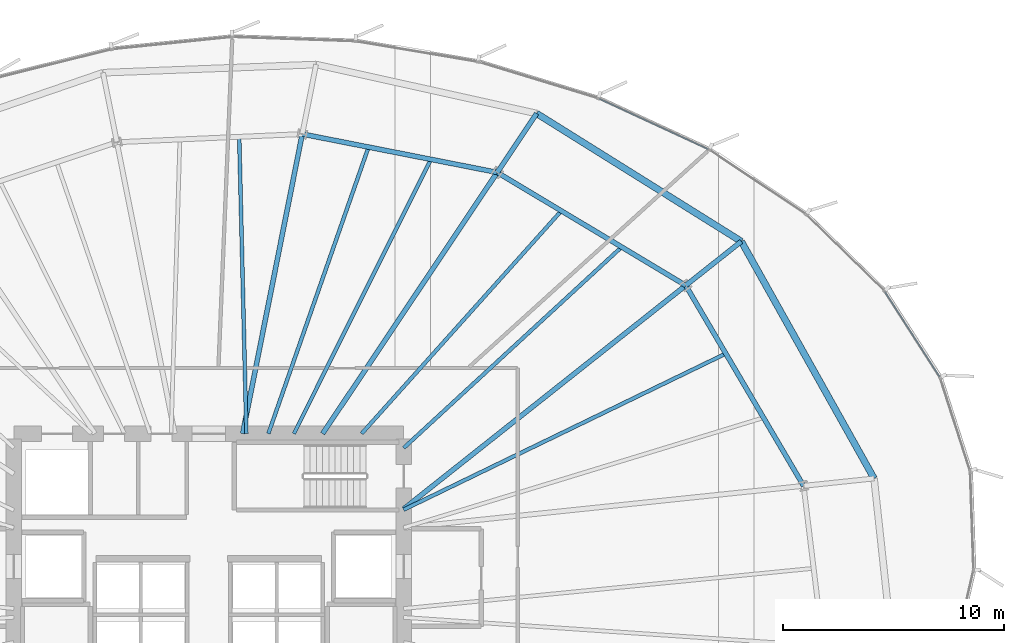
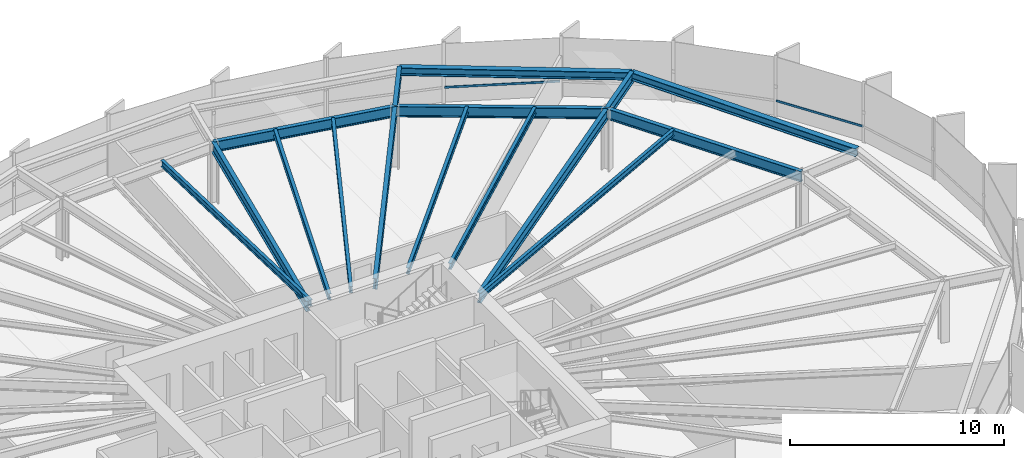
# One storey, part 23 of 35: 16 beams, 2 members, 1 element without a shape of its own.
"""IFC4 building model written with IfcOpenShell, lengths in metres."""

from ifc_helpers import new_model, si_unit, direction, frame, origin, origin_2d, place, context, subcontext, project, spatial, hollow_rectangle, i_section, extrude, source, transform, mapped, material, layer, layer_set, material_profile, profile_set, type_object, element, aggregate, save


model = new_model("IFC4")

# Units and contexts
model_context = context("Model", 3, precision=1e-05, world=origin(), true_north=direction((0.0, 1.0)))
body_context = subcontext(model_context, "Body", "Model", "MODEL_VIEW")
ifc_project = project(units=[si_unit("LENGTHUNIT", "METRE"), si_unit("AREAUNIT", "SQUARE_METRE"), si_unit("VOLUMEUNIT", "CUBIC_METRE"), si_unit("PLANEANGLEUNIT", "RADIAN"), si_unit("MASSUNIT", "GRAM", prefix="KILO"), si_unit("THERMODYNAMICTEMPERATUREUNIT", "KELVIN")], contexts=[model_context])

# Site, building, storey
site_placement = place(None, origin())
site = spatial("IfcSite", under=ifc_project, at=site_placement, CompositionType="ELEMENT")
building_placement = place(site_placement, origin())
building = spatial("IfcBuilding", under=site, at=building_placement, Name="Kethvar Cultural Tower", CompositionType="ELEMENT")
storey_placement = place(building_placement, frame((0.0, 0.0, 71.39990234375)))
storey = spatial("IfcBuildingStorey", under=building, at=storey_placement, Name="L17", CompositionType="ELEMENT", Elevation=71.39990234375)

# Beams
ifc_material_1 = material(Name="Steel S355J2", Category="steel")
ifc_material_profile_1 = material_profile(ifc_material_1, i_section(OverallWidth=0.219970703125, OverallDepth=0.60009765625, WebThickness=0.011962890625, FlangeThickness=0.01904296875, FilletRadius=0.02392578125, at=origin_2d()), Name="Steel S355J2 — IPE600")
ifc_profile_set_1 = profile_set([ifc_material_profile_1], Name="Steel S355J2 — IPE600")
beam_type_1 = type_object("IfcBeamType", Name="BM-IPE600", PredefinedType="BEAM", material=ifc_profile_set_1)
shared_shape_1 = source(origin(), body_context, "Body", "SweptSolid", [
    extrude(i_section(OverallWidth=0.219970703125, OverallDepth=0.60009765625, WebThickness=0.011962890625, FlangeThickness=0.01904296875, FilletRadius=0.02392578125, at=origin_2d()), origin(), (0.0, 0.0, 1.0), 16.248779296875),
])
beam_1_placement = place(storey_placement, frame((55.60009765625, 32.10009765625, 3.238037109375), z_axis=(0.783831288624, 0.620973840813, 0.0), x_axis=(-0.620973840813, 0.783831288624, 0.0)))
element("IfcBeam", 1, at=beam_1_placement, inside=storey, type_object=beam_type_1, Name="L17 Primary Radial Beam RB-02", PredefinedType="BEAM", context=body_context, shape_type="MappedRepresentation", body=[
    mapped(shared_shape_1, transform((0.0, 0.0, 0.0), scale=1.0)),
])
shared_shape_2 = source(origin(), body_context, "Body", "SweptSolid", [
    extrude(i_section(OverallWidth=0.219970703125, OverallDepth=0.60009765625, WebThickness=0.011962890625, FlangeThickness=0.01904296875, FilletRadius=0.02392578125, at=origin_2d()), origin(), (0.0, 0.0, 1.0), 14.18359375),
])
beam_2_placement = place(storey_placement, frame((51.945068359375, 35.5, 3.238037109375), z_axis=(0.55556584065, 0.831472547174, 0.0), x_axis=(-0.831472547174, 0.55556584065, 0.0)))
element("IfcBeam", 2, at=beam_2_placement, inside=storey, type_object=beam_type_1, Name="L17 Primary Radial Beam RB-03", PredefinedType="BEAM", context=body_context, shape_type="MappedRepresentation", body=[
    mapped(shared_shape_2, transform((0.0, 0.0, 0.0), scale=1.0)),
])
shared_shape_3 = source(origin(), body_context, "Body", "SweptSolid", [
    extrude(i_section(OverallWidth=0.219970703125, OverallDepth=0.60009765625, WebThickness=0.011962890625, FlangeThickness=0.01904296875, FilletRadius=0.02392578125, at=origin_2d()), origin(), (0.0, 0.0, 1.0), 3.2001953125),
])
beam_3_placement = place(storey_placement, frame((59.824951171875, 47.293212890625, 3.238037109375), z_axis=(0.555544970406, 0.831486491686, 0.0), x_axis=(-0.831486491686, 0.555544970406, 0.0)))
element("IfcBeam", 3, at=beam_3_placement, inside=storey, type_object=beam_type_1, Name="L17 Perimeter Cantilever Beam RC-03", PredefinedType="BEAM", context=body_context, shape_type="MappedRepresentation", body=[
    mapped(shared_shape_3, transform((0.0, 0.0, 0.0), scale=1.0)),
])
shared_shape_4 = source(origin(), body_context, "Body", "SweptSolid", [
    extrude(i_section(OverallWidth=0.219970703125, OverallDepth=0.60009765625, WebThickness=0.011962890625, FlangeThickness=0.01904296875, FilletRadius=0.02392578125, at=origin_2d()), origin(), (0.0, 0.0, 1.0), 13.791015625),
])
beam_4_placement = place(storey_placement, frame((48.33154296875, 35.5, 3.238037109375), z_axis=(0.195104916429, 0.980782377281, 0.0), x_axis=(-0.980782377281, 0.195104916429, 0.0)))
element("IfcBeam", 4, at=beam_4_placement, inside=storey, type_object=beam_type_1, Name="L17 Primary Radial Beam RB-04", PredefinedType="BEAM", context=body_context, shape_type="MappedRepresentation", body=[
    mapped(shared_shape_4, transform((0.0, 0.0, 0.0), scale=1.0)),
])
shared_shape_5 = source(origin(), body_context, "Body", "SweptSolid", [
    extrude(i_section(OverallWidth=0.219970703125, OverallDepth=0.60009765625, WebThickness=0.011962890625, FlangeThickness=0.01904296875, FilletRadius=0.02392578125, at=origin_2d()), origin(), (0.0, 0.0, 1.0), 3.199951171875),
])
beam_5_placement = place(storey_placement, frame((68.33642578125, 42.190185546875, 3.238037109375), z_axis=(0.783844666756, 0.62095695374, 0.0), x_axis=(-0.62095695374, 0.783844666756, 0.0)))
element("IfcBeam", 5, at=beam_5_placement, inside=storey, type_object=beam_type_1, Name="L17 Perimeter Cantilever Beam RC-02", PredefinedType="BEAM", context=body_context, shape_type="MappedRepresentation", body=[
    mapped(shared_shape_5, transform((0.0, 0.0, 0.0), scale=1.0)),
])
shared_shape_6 = source(origin(), body_context, "Body", "SweptSolid", [
    extrude(i_section(OverallWidth=0.219970703125, OverallDepth=0.60009765625, WebThickness=0.011962890625, FlangeThickness=0.01904296875, FilletRadius=0.02392578125, at=origin_2d()), origin(), (0.0, 0.0, 1.0), 10.496337890625),
])
beam_6_placement = place(storey_placement, frame((73.65673828125, 33.14208984375, 3.238037109375), z_axis=(-0.506871712474, 0.862021500366, 0.0), x_axis=(-0.862021500366, -0.506871712474, 0.0)))
element("IfcBeam", 6, at=beam_6_placement, inside=storey, type_object=beam_type_1, Name="L17 Column Ring Tie Beam CR-01", PredefinedType="BEAM", context=body_context, shape_type="MappedRepresentation", body=[
    mapped(shared_shape_6, transform((0.0, 0.0, 0.0), scale=1.0)),
])
ifc_material_profile_2 = material_profile(ifc_material_1, i_section(OverallWidth=0.169921875, OverallDepth=0.360107421875, WebThickness=0.008056640625, FlangeThickness=0.0126953125, FilletRadius=0.01806640625, at=origin_2d()), Name="Steel S355J2 — IPE360")
ifc_profile_set_2 = profile_set([ifc_material_profile_2], Name="Steel S355J2 — IPE360")
beam_type_2 = type_object("IfcBeamType", Name="BM-J360", PredefinedType="JOIST", material=ifc_profile_set_2)
shared_shape_7 = source(origin(), body_context, "Body", "SweptSolid", [
    extrude(i_section(OverallWidth=0.169921875, OverallDepth=0.360107421875, WebThickness=0.008056640625, FlangeThickness=0.0126953125, FilletRadius=0.01806640625, at=origin_2d()), origin(), (0.0, 0.0, 1.0), 16.163330078125),
])
beam_7_placement = place(storey_placement, frame((55.60009765625, 32.064697265625, 3.358154296875), z_axis=(0.899890099721, 0.436116737151, 0.0), x_axis=(-0.436116737151, 0.899890099721, 0.0)))
element("IfcBeam", 7, at=beam_7_placement, inside=storey, type_object=beam_type_2, Name="L17 Composite Floor Joist J-01B", PredefinedType="JOIST", context=body_context, shape_type="MappedRepresentation", body=[
    mapped(shared_shape_7, transform((0.0, 0.0, 0.0), scale=1.0)),
])
shared_shape_8 = source(origin(), body_context, "Body", "SweptSolid", [
    extrude(i_section(OverallWidth=0.219970703125, OverallDepth=0.60009765625, WebThickness=0.011962890625, FlangeThickness=0.01904296875, FilletRadius=0.02392578125, at=origin_2d()), origin(), (0.0, 0.0, 1.0), 9.924072265625),
])
beam_8_placement = place(storey_placement, frame((68.33642578125, 42.190185546875, 3.238037109375), z_axis=(-0.857664361463, 0.514209921215, 0.0), x_axis=(-0.514209921215, -0.857664361463, 0.0)))
element("IfcBeam", 8, at=beam_8_placement, inside=storey, type_object=beam_type_1, Name="L17 Column Ring Tie Beam CR-02", PredefinedType="BEAM", context=body_context, shape_type="MappedRepresentation", body=[
    mapped(shared_shape_8, transform((0.0, 0.0, 0.0), scale=1.0)),
])
shared_shape_9 = source(origin(), body_context, "Body", "SweptSolid", [
    extrude(i_section(OverallWidth=0.169921875, OverallDepth=0.360107421875, WebThickness=0.008056640625, FlangeThickness=0.0126953125, FilletRadius=0.01806640625, at=origin_2d()), origin(), (0.0, 0.0, 1.0), 13.3876953125),
])
beam_9_placement = place(storey_placement, frame((55.60009765625, 34.85009765625, 3.358154296875), z_axis=(0.735175283276, 0.677877055859, 0.0), x_axis=(-0.677877055859, 0.735175283276, 0.0)))
element("IfcBeam", 9, at=beam_9_placement, inside=storey, type_object=beam_type_2, Name="L17 Composite Floor Joist J-02A", PredefinedType="JOIST", context=body_context, shape_type="MappedRepresentation", body=[
    mapped(shared_shape_9, transform((0.0, 0.0, 0.0), scale=1.0)),
])
shared_shape_10 = source(origin(), body_context, "Body", "SweptSolid", [
    extrude(i_section(OverallWidth=0.169921875, OverallDepth=0.360107421875, WebThickness=0.008056640625, FlangeThickness=0.0126953125, FilletRadius=0.01806640625, at=origin_2d()), origin(), (0.0, 0.0, 1.0), 13.508056640625),
])
beam_10_placement = place(storey_placement, frame((53.702392578125, 35.5, 3.358154296875), z_axis=(0.667503553274, 0.744606611821, 0.0), x_axis=(-0.744606611821, 0.667503553274, 0.0)))
element("IfcBeam", 10, at=beam_10_placement, inside=storey, type_object=beam_type_2, Name="L17 Composite Floor Joist J-02B", PredefinedType="JOIST", context=body_context, shape_type="MappedRepresentation", body=[
    mapped(shared_shape_10, transform((0.0, 0.0, 0.0), scale=1.0)),
])
shared_shape_11 = source(origin(), body_context, "Body", "SweptSolid", [
    extrude(i_section(OverallWidth=0.219970703125, OverallDepth=0.60009765625, WebThickness=0.011962890625, FlangeThickness=0.01904296875, FilletRadius=0.02392578125, at=origin_2d()), origin(), (0.0, 0.0, 1.0), 8.9716796875),
])
beam_11_placement = place(storey_placement, frame((59.824951171875, 47.293212890625, 3.238037109375), z_axis=(-0.981173751046, 0.193127083181, 0.0), x_axis=(-0.193127083181, -0.981173751046, 0.0)))
element("IfcBeam", 11, at=beam_11_placement, inside=storey, type_object=beam_type_1, Name="L17 Column Ring Tie Beam CR-03", PredefinedType="BEAM", context=body_context, shape_type="MappedRepresentation", body=[
    mapped(shared_shape_11, transform((0.0, 0.0, 0.0), scale=1.0)),
])
shared_shape_12 = source(origin(), body_context, "Body", "SweptSolid", [
    extrude(i_section(OverallWidth=0.169921875, OverallDepth=0.360107421875, WebThickness=0.008056640625, FlangeThickness=0.0126953125, FilletRadius=0.01806640625, at=origin_2d()), origin(), (0.0, 0.0, 1.0), 13.84130859375),
])
beam_12_placement = place(storey_placement, frame((50.646484375, 35.5, 3.358154296875), z_axis=(0.446889017672, 0.894589406311, 0.0), x_axis=(-0.894589406311, 0.446889017672, 0.0)))
element("IfcBeam", 12, at=beam_12_placement, inside=storey, type_object=beam_type_2, Name="L17 Composite Floor Joist J-03A", PredefinedType="JOIST", context=body_context, shape_type="MappedRepresentation", body=[
    mapped(shared_shape_12, transform((0.0, 0.0, 0.0), scale=1.0)),
])
shared_shape_13 = source(origin(), body_context, "Body", "SweptSolid", [
    extrude(i_section(OverallWidth=0.169921875, OverallDepth=0.360107421875, WebThickness=0.008056640625, FlangeThickness=0.0126953125, FilletRadius=0.01806640625, at=origin_2d()), origin(), (0.0, 0.0, 1.0), 13.70458984375),
])
beam_13_placement = place(storey_placement, frame((49.4921875, 35.5, 3.358154296875), z_axis=(0.330030618422, 0.943970227764, 0.0), x_axis=(-0.943970227764, 0.330030618422, 0.0)))
element("IfcBeam", 13, at=beam_13_placement, inside=storey, type_object=beam_type_2, Name="L17 Composite Floor Joist J-03B", PredefinedType="JOIST", context=body_context, shape_type="MappedRepresentation", body=[
    mapped(shared_shape_13, transform((0.0, 0.0, 0.0), scale=1.0)),
])
shared_shape_14 = source(origin(), body_context, "Body", "SweptSolid", [
    extrude(i_section(OverallWidth=0.169921875, OverallDepth=0.360107421875, WebThickness=0.008056640625, FlangeThickness=0.0126953125, FilletRadius=0.01806640625, at=origin_2d()), origin(), (0.0, 0.0, 1.0), 13.40380859375),
])
beam_14_placement = place(storey_placement, frame((48.5, 35.5, 3.358154296875), z_axis=(-0.024170322554, 0.999707855079, 0.0), x_axis=(-0.999707855079, -0.024170322554, 0.0)))
element("IfcBeam", 14, at=beam_14_placement, inside=storey, type_object=beam_type_2, Name="L17 Composite Floor Joist J-04A", PredefinedType="JOIST", context=body_context, shape_type="MappedRepresentation", body=[
    mapped(shared_shape_14, transform((0.0, 0.0, 0.0), scale=1.0)),
])
ifc_material_profile_3 = material_profile(ifc_material_1, i_section(OverallWidth=0.300048828125, OverallDepth=0.449951171875, WebThickness=0.013916015625, FlangeThickness=0.02587890625, FilletRadius=0.027099609375, at=origin_2d()), Name="Steel S355J2 — HEB450")
ifc_profile_set_3 = profile_set([ifc_material_profile_3], Name="Steel S355J2 — HEB450")
beam_type_3 = type_object("IfcBeamType", Name="BM-SP450", PredefinedType="SPANDREL", material=ifc_profile_set_3)
shared_shape_15 = source(origin(), body_context, "Body", "SweptSolid", [
    extrude(i_section(OverallWidth=0.300048828125, OverallDepth=0.449951171875, WebThickness=0.013916015625, FlangeThickness=0.02587890625, FilletRadius=0.027099609375, at=origin_2d()), origin(), (0.0, 0.0, 1.0), 12.266357421875),
])
beam_15_placement = place(storey_placement, frame((76.83935546875, 33.4755859375, 3.31298828125), z_axis=(-0.488708822027, 0.872446953845, 0.0), x_axis=(-0.872446953845, -0.488708822027, 0.0)))
element("IfcBeam", 15, at=beam_15_placement, inside=storey, type_object=beam_type_3, Name="L17 Perimeter Spandrel Beam SP-01", PredefinedType="SPANDREL", context=body_context, shape_type="MappedRepresentation", body=[
    mapped(shared_shape_15, transform((0.0, 0.0, 0.0), scale=1.0)),
])
shared_shape_16 = source(origin(), body_context, "Body", "SweptSolid", [
    extrude(i_section(OverallWidth=0.300048828125, OverallDepth=0.449951171875, WebThickness=0.013916015625, FlangeThickness=0.02587890625, FilletRadius=0.027099609375, at=origin_2d()), origin(), (0.0, 0.0, 1.0), 10.89892578125),
])
beam_16_placement = place(storey_placement, frame((70.8447265625, 44.17724609375, 3.31298828125), z_axis=(-0.847971875365, 0.530041223481, 0.0), x_axis=(-0.530041223481, -0.847971875365, 0.0)))
element("IfcBeam", 16, at=beam_16_placement, inside=storey, type_object=beam_type_3, Name="L17 Perimeter Spandrel Beam SP-02", PredefinedType="SPANDREL", context=body_context, shape_type="MappedRepresentation", body=[
    mapped(shared_shape_16, transform((0.0, 0.0, 0.0), scale=1.0)),
])

# Curtain wall, members
ifc_material_2 = material(Name="Aluminium 6063-T6", Category="aluminium")
ifc_layer = layer(ifc_material_2, 0.179931640625, Name="Aluminium 6063-T6", Category="aluminium")
ifc_layer_set = layer_set([ifc_layer], Name="Aluminium 6063-T6 (180 mm)")
curtain_wall_type = type_object("IfcCurtainWallType", Name="CW-SYS-02-Z1", PredefinedType="NOTDEFINED", material=ifc_layer_set)
curtain_wall_placement = place(storey_placement, origin())
curtain_wall = element("IfcCurtainWall", 17, at=curtain_wall_placement, inside=storey, type_object=curtain_wall_type, Name="L17 Curtain Wall Run 01", PredefinedType="NOTDEFINED")
ifc_material_profile_4 = material_profile(ifc_material_2, hollow_rectangle(XDim=0.054931640625, YDim=0.1201171875, WallThickness=0.00390625, at=origin_2d()), Name="Aluminium 6063-T6 — RHS120x55x4")
ifc_profile_set_4 = profile_set([ifc_material_profile_4], Name="Aluminium 6063-T6 — RHS120x55x4")
member_type = type_object("IfcMemberType", Name="CW-SYS-02-Z1-TRN", PredefinedType="USERDEFINED", material=ifc_profile_set_4)
shared_shape_17 = source(origin(), body_context, "Body", "SweptSolid", [
    extrude(hollow_rectangle(XDim=0.054931640625, YDim=0.1201171875, WallThickness=0.00390625, at=origin_2d()), origin(), (0.0, 0.0, 1.0), 4.576416015625),
])
member_1_placement = place(storey_placement, frame((79.8017578125, 38.060546875, 0.9501953125), z_axis=(-0.541482692645, 0.840711896886, 0.0), x_axis=(-0.840711896886, -0.541482692645, 0.0)))
member_1 = element("IfcMember", 18, at=member_1_placement, type_object=member_type, Name="CW-L17-R01 Transom 2", ObjectType="TRANSOM", PredefinedType="USERDEFINED", context=body_context, shape_type="MappedRepresentation", body=[
    mapped(shared_shape_17, transform((0.0, 0.0, 0.0), scale=1.0)),
])
shared_shape_18 = source(origin(), body_context, "Body", "SweptSolid", [
    extrude(hollow_rectangle(XDim=0.054931640625, YDim=0.1201171875, WallThickness=0.00390625, at=origin_2d()), origin(), (0.0, 0.0, 1.0), 5.435302734375),
])
member_2_placement = place(storey_placement, frame((69.35400390625, 48.3369140625, 0.9501953125), z_axis=(-0.907572482551, 0.419895449982, 0.0), x_axis=(-0.419895449982, -0.907572482551, 0.0)))
member_2 = element("IfcMember", 19, at=member_2_placement, type_object=member_type, Name="CW-L17-R01 Transom 5", ObjectType="TRANSOM", PredefinedType="USERDEFINED", context=body_context, shape_type="MappedRepresentation", body=[
    mapped(shared_shape_18, transform((0.0, 0.0, 0.0), scale=1.0)),
])
aggregate(curtain_wall, [member_1, member_2])

save(model, "model.ifc")
